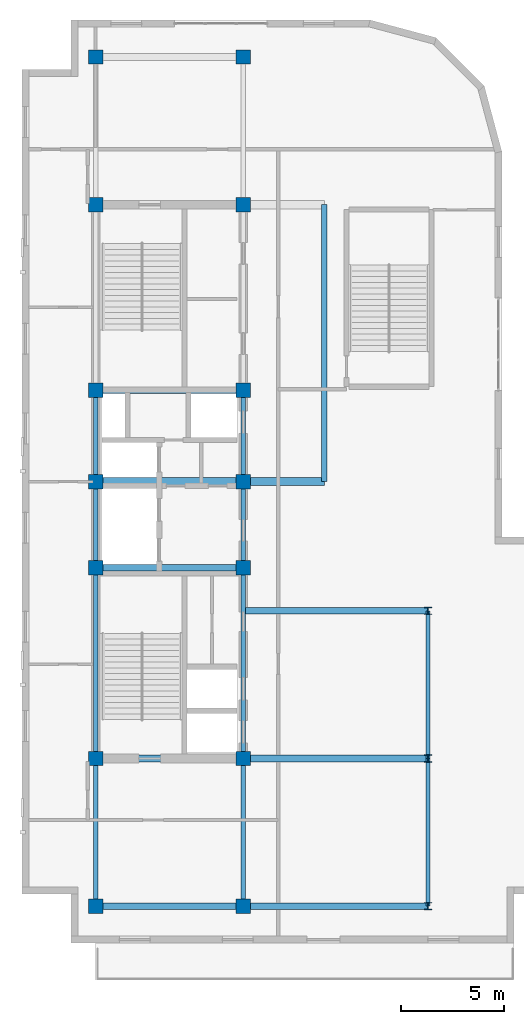
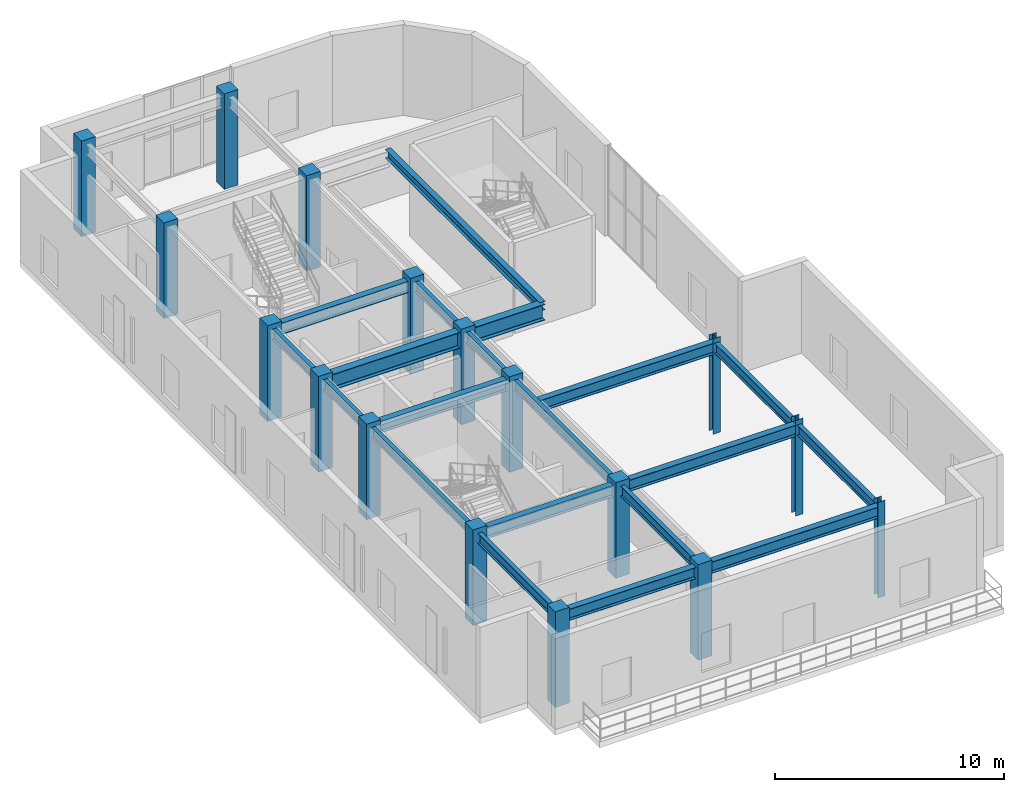
# One storey, part 1 of 10: 19 beams, 17 columns.
"""IFC4 building model written with IfcOpenShell, lengths in metres."""

import ifcopenshell
import ifcopenshell.guid

model = None  # the IFC model being written
_history = None  # IfcOwnerHistory: only IFC2X3 demands one
_inside = {}  # id of a spatial element -> (the spatial element, [elements in it])
_under = {}  # id of a project, library or spatial element -> (it, [spatial elements below it])
_declared = {}  # id of a project -> (the project, [libraries it declares])
_typed = {}  # id of a type object -> (the type object, [elements of that type])
_made_of = {}  # id of a material, layer set ... -> (it, [elements and type objects made of it])


def new_model(schema):
    """Start an empty IFC model of exactly this schema.

    Asked for "IFC4X3", IfcOpenShell would pick the latest addendum, in which some entities
    have other attributes; the version numbers below select the first issue.
    IFC2X3 requires an IfcOwnerHistory on every rooted entity: one is made here for all.
    """
    global model, _history
    if schema == "IFC4X3":
        model = ifcopenshell.file(schema_version=(4, 3, 0, 0))
    else:
        model = ifcopenshell.file(schema=schema)
    _inside.clear()
    _under.clear()
    _declared.clear()
    _typed.clear()
    _made_of.clear()
    _history = None
    if model.schema == "IFC2X3":
        org = make("IfcOrganization", Name="unknown")
        user = make(
            "IfcPersonAndOrganization",
            ThePerson=make("IfcPerson", FamilyName="unknown"),
            TheOrganization=org,
        )
        app = make(
            "IfcApplication",
            ApplicationDeveloper=org,
            Version="unknown",
            ApplicationFullName="unknown",
            ApplicationIdentifier="unknown",
        )
        _history = make(
            "IfcOwnerHistory",
            OwningUser=user,
            OwningApplication=app,
            ChangeAction="ADDED",
            CreationDate=0,
        )
    return model


def make(cls, **values):
    """One entity of the class cls with the attributes given. An attribute that is None is left unset."""
    return model.create_entity(
        cls, **{name: value for name, value in values.items() if value is not None}
    )


def entity(cls, *values):
    """Any entity or typed value of the class cls, its attributes in the order of the schema. None: left unset."""
    e = model.create_entity(cls)
    for i, value in enumerate(values):
        if value is not None:
            e[i] = value
    return e


def rooted(cls, **values):
    """An entity with a GlobalId (a new one), such as an element, a storey or a relation."""
    return make(cls, GlobalId=ifcopenshell.guid.new(), OwnerHistory=_history, **values)


def si_unit(unit_type, name, prefix=None):
    """IfcSIUnit, for example si_unit("LENGTHUNIT", "METRE", prefix="MILLI")."""
    return make("IfcSIUnit", UnitType=unit_type, Prefix=prefix, Name=name)


def converted_unit(unit_type, name, factor, base, dimensions=None, offset=None):
    """IfcConversionBasedUnit, such as the inch: factor (a typed value) times the base unit."""
    return make(
        "IfcConversionBasedUnit"
        if offset is None
        else "IfcConversionBasedUnitWithOffset",
        ConversionOffset=offset,
        Dimensions=None
        if dimensions is None
        else entity("IfcDimensionalExponents", *dimensions),
        UnitType=unit_type,
        Name=name,
        ConversionFactor=make(
            "IfcMeasureWithUnit", ValueComponent=factor, UnitComponent=base
        ),
    )


def assignment(units):
    """IfcUnitAssignment: the units of a project."""
    return None if units is None else make("IfcUnitAssignment", Units=units)


def point(xyz):
    """IfcCartesianPoint."""
    return None if xyz is None else make("IfcCartesianPoint", Coordinates=xyz)


def direction(xyz):
    """IfcDirection."""
    return None if xyz is None else make("IfcDirection", DirectionRatios=xyz)


def frame(location, z_axis=None, x_axis=None):
    """IfcAxis2Placement3D, a coordinate frame: its origin and axes. An axis left out is left unset."""
    return make(
        "IfcAxis2Placement3D",
        Location=point(location),
        Axis=direction(z_axis),
        RefDirection=direction(x_axis),
    )


def frame_2d(location, x_axis=None):
    """IfcAxis2Placement2D, a coordinate frame in the plane: its origin and x axis."""
    return make(
        "IfcAxis2Placement2D", Location=point(location), RefDirection=direction(x_axis)
    )


def origin_with_axes():
    """The frame at (0, 0, 0) with the z axis (0, 0, 1) and the x axis (1, 0, 0) written out."""
    return frame((0.0, 0.0, 0.0), z_axis=(0.0, 0.0, 1.0), x_axis=(1.0, 0.0, 0.0))


def origin_2d_with_axis():
    """The frame at (0, 0) in the plane with the x axis (1, 0) written out."""
    return frame_2d((0.0, 0.0), x_axis=(1.0, 0.0))


def place(relative_to, where):
    """IfcLocalPlacement: puts the frame where relative to a parent placement (None: the world)."""
    return make(
        "IfcLocalPlacement", PlacementRelTo=relative_to, RelativePlacement=where
    )


def context(
    kind, dimensions, precision=None, world=None, true_north=None, identifier=None
):
    """IfcGeometricRepresentationContext, for example the 3D "Model" context."""
    return make(
        "IfcGeometricRepresentationContext",
        ContextIdentifier=identifier,
        ContextType=kind,
        CoordinateSpaceDimension=dimensions,
        Precision=precision,
        WorldCoordinateSystem=world,
        TrueNorth=true_north,
    )


def subcontext(parent, identifier, kind, view, scale=None):
    """IfcGeometricRepresentationSubContext, for example "Body" below "Model"."""
    return make(
        "IfcGeometricRepresentationSubContext",
        ContextIdentifier=identifier,
        ContextType=kind,
        ParentContext=parent,
        TargetScale=scale,
        TargetView=view,
    )


def project(units=None, contexts=None):
    """IfcProject with its units and contexts."""
    return rooted(
        "IfcProject",
        Name="project",
        RepresentationContexts=contexts,
        UnitsInContext=assignment(units),
    )


def spatial(cls, under=None, at=None, **own):
    """A site, building, storey or space (cls), placed at a placement, below another one or the project."""
    s = rooted(cls, ObjectPlacement=at, **own)
    if under is not None:
        _under.setdefault(under.id(), (under, []))[1].append(s)
    return s


def profile(cls, at=None, kind="AREA", **sizes):
    """A parametric profile (cls). Its sizes go by their IFC names, for example OverallWidth=200.0."""
    return make(cls, ProfileType=kind, Position=at, **sizes)


def rectangle(**sizes):
    """IfcRectangleProfileDef."""
    return profile("IfcRectangleProfileDef", **sizes)


def i_section(**sizes):
    """IfcIShapeProfileDef."""
    return profile("IfcIShapeProfileDef", **sizes)


def extrude(swept, where, along, depth):
    """IfcExtrudedAreaSolid: the profile swept, set in the frame where, extruded along a direction by depth."""
    return make(
        "IfcExtrudedAreaSolid",
        SweptArea=swept,
        Position=where,
        ExtrudedDirection=direction(along),
        Depth=depth,
    )


def shape(context_of_items, identifier, shape_type, items):
    """IfcShapeRepresentation: the items that make up one representation, for example the "Body"."""
    return make(
        "IfcShapeRepresentation",
        ContextOfItems=context_of_items,
        RepresentationIdentifier=identifier,
        RepresentationType=shape_type,
        Items=items,
    )


def material(Name=None, Category=None):
    """IfcMaterial."""
    return make("IfcMaterial", Name=Name, Category=Category)


def material_profile(
    of_material, cross_section, Name=None, Category=None, Priority=None
):
    """IfcMaterialProfile: a cross section and its material."""
    return make(
        "IfcMaterialProfile",
        Name=Name,
        Material=of_material,
        Profile=cross_section,
        Priority=Priority,
        Category=Category,
    )


def profile_set(profiles, Name=None, composite=None):
    """IfcMaterialProfileSet."""
    return make(
        "IfcMaterialProfileSet",
        Name=Name,
        MaterialProfiles=profiles,
        CompositeProfile=composite,
    )


def made_of(thing, what):
    """Note that an element or type object is made of a material, layer set ...; save() writes the relation."""
    if what is not None:
        _made_of.setdefault(what.id(), (what, []))[1].append(thing)
    return thing


def type_object(cls, material=None, **own):
    """A type object (cls), such as IfcWallType, which elements share."""
    return made_of(rooted(cls, **own), material)


def element(
    cls,
    number,
    at=None,
    inside=None,
    cuts=None,
    type_object=None,
    material=None,
    context=None,
    identifier="Body",
    shape_type=None,
    held_by="IfcProductDefinitionShape",
    body=None,
    shapes=None,
    **own,
):
    """One element of the class cls, such as IfcWall. Its Tag is "e" and its number.

    at: its placement. inside: the storey or other place that contains it. cuts: it is an
    opening in that element (IfcRelVoidsElement). A single representation is given by context,
    identifier, shape_type and body (its items); several are given by shapes. held_by: the class
    of the entity that holds the representations. save() writes the other relations.
    """
    e = rooted(cls, Tag="e%d" % number, ObjectPlacement=at, **own)
    if body is not None:
        shapes = [shape(context, identifier, shape_type, body)]
    if shapes is not None:
        e.Representation = make(held_by, Representations=shapes)
    if inside is not None:
        _inside.setdefault(inside.id(), (inside, []))[1].append(e)
    if cuts is not None:
        rooted(
            "IfcRelVoidsElement", RelatingBuildingElement=cuts, RelatedOpeningElement=e
        )
    if type_object is not None:
        _typed.setdefault(type_object.id(), (type_object, []))[1].append(e)
    return made_of(e, material)


def aggregate(whole, parts):
    """IfcRelAggregates: a whole, such as a stair, and the parts it consists of."""
    return rooted("IfcRelAggregates", RelatingObject=whole, RelatedObjects=parts)


def save(model, path):
    """Write the relations noted so far, then the file.

    IfcRelAggregates (storeys below a building ...), IfcRelContainedInSpatialStructure (elements
    in a storey), IfcRelDefinesByType, IfcRelAssociatesMaterial and IfcRelDeclares: one each for
    every whole, place, type object, material and project.
    """
    for whole, parts in _under.values():
        aggregate(whole, parts)
    for where, things in _inside.values():
        rooted(
            "IfcRelContainedInSpatialStructure",
            RelatedElements=things,
            RelatingStructure=where,
        )
    for kind, things in _typed.values():
        rooted("IfcRelDefinesByType", RelatedObjects=things, RelatingType=kind)
    for what, things in _made_of.values():
        rooted("IfcRelAssociatesMaterial", RelatedObjects=things, RelatingMaterial=what)
    for by, libraries in _declared.values():
        rooted("IfcRelDeclares", RelatingContext=by, RelatedDefinitions=libraries)
    model.write(path)


model = new_model("IFC4")

# Units and contexts
model_context = context("Model", 3, precision=1e-05, world=origin_with_axes(), true_north=direction((0.0, 1.0)))
body_context = subcontext(model_context, "Body", "Model", "MODEL_VIEW")
ifc_project = project(units=[si_unit("LENGTHUNIT", "METRE"), si_unit("AREAUNIT", "SQUARE_METRE"), si_unit("VOLUMEUNIT", "CUBIC_METRE"), converted_unit("PLANEANGLEUNIT", "DEGREE", entity("IfcPlaneAngleMeasure", 0.017453292519943295), si_unit("PLANEANGLEUNIT", "RADIAN"), dimensions=[0, 0, 0, 0, 0, 0, 0]), si_unit("MASSUNIT", "GRAM", prefix="KILO"), si_unit("THERMODYNAMICTEMPERATUREUNIT", "KELVIN")], contexts=[model_context])

# Site, building, storey
site_placement = place(None, origin_with_axes())
site = spatial("IfcSite", under=ifc_project, at=site_placement, CompositionType="ELEMENT")
building_placement = place(site_placement, origin_with_axes())
building = spatial("IfcBuilding", under=site, at=building_placement, Name="Varnlund Millrace Tower", CompositionType="ELEMENT")
storey_placement = place(building_placement, frame((0.0, 0.0, 303.6), z_axis=(0.0, 0.0, 1.0), x_axis=(1.0, 0.0, 0.0)))
storey = spatial("IfcBuildingStorey", under=building, at=storey_placement, Name="L75", CompositionType="ELEMENT", Elevation=303.6)

# Columns
ifc_material_1 = material(Name="Steel ASTM A992 Grade 50", Category="steel")
ifc_material_profile_1 = material_profile(ifc_material_1, i_section(OverallWidth=0.369, OverallDepth=0.356, WebThickness=0.0112, FlangeThickness=0.018, FilletRadius=0.018, at=origin_2d_with_axis()), Name="Steel ASTM A992 Grade 50")
ifc_profile_set_1 = profile_set([ifc_material_profile_1], Name="Steel ASTM A992 Grade 50")
column_type_1 = type_object("IfcColumnType", Name="Type-Col-Int-W14X90", PredefinedType="COLUMN", material=ifc_profile_set_1)
for number, where, z_axis, x_axis, name in (
    (1, (27.6, 3.6, 0.0), (0.0, 0.0, 1.0), (1.0, 0.0, 0.0), "Type-Col-Int-W14X90"),
    (2, (27.6, 10.8, 0.0), (0.0, 0.0, 1.0), (1.0, 0.0, 0.0), "Type-Col-Int-W14X90"),
    (3, (27.6, 18.0, 0.0), (0.0, 0.0, 1.0), (1.0, 0.0, 0.0), "Type-Col-Int-W14X90"),
):
    element("IfcColumn", number, at=place(storey_placement, frame(where, z_axis=z_axis, x_axis=x_axis)), inside=storey, type_object=column_type_1, Name=name, PredefinedType="COLUMN", context=body_context, shape_type="SweptSolid", body=[
        extrude(i_section(OverallWidth=0.369, OverallDepth=0.356, WebThickness=0.0112, FlangeThickness=0.018, FilletRadius=0.018, at=origin_2d_with_axis()), origin_with_axes(), (0.0, 0.0, 1.0), 5.1),
    ])
ifc_material_2 = material(Name="Concrete C60/75", Category="concrete")
ifc_material_profile_2 = material_profile(ifc_material_2, rectangle(XDim=0.7, YDim=0.7, at=origin_2d_with_axis()), Name="Concrete C60/75")
ifc_profile_set_2 = profile_set([ifc_material_profile_2], Name="Concrete C60/75")
column_type_2 = type_object("IfcColumnType", Name="Type-Col-RC700-C60", PredefinedType="COLUMN", material=ifc_profile_set_2)
for number, where, z_axis, x_axis, name in (
    (4, (11.4, 3.6, 0.0), (0.0, 0.0, 1.0), (1.0, 0.0, 0.0), "Type-Col-RC700-C60"),
    (5, (11.4, 10.8, 0.0), (0.0, 0.0, 1.0), (1.0, 0.0, 0.0), "Type-Col-RC700-C60"),
    (6, (11.4, 20.1, 0.0), (0.0, 0.0, 1.0), (1.0, 0.0, 0.0), "Type-Col-RC700-C60"),
    (7, (11.4, 24.3, 0.0), (0.0, 0.0, 1.0), (1.0, 0.0, 0.0), "Type-Col-RC700-C60"),
    (8, (11.4, 28.75, 0.0), (0.0, 0.0, 1.0), (1.0, 0.0, 0.0), "Type-Col-RC700-C60"),
    (9, (11.4, 37.8, 0.0), (0.0, 0.0, 1.0), (1.0, 0.0, 0.0), "Type-Col-RC700-C60"),
    (10, (11.4, 45.0, 0.0), (0.0, 0.0, 1.0), (1.0, 0.0, 0.0), "Type-Col-RC700-C60"),
    (11, (18.6, 3.6, 0.0), (0.0, 0.0, 1.0), (1.0, 0.0, 0.0), "Type-Col-RC700-C60"),
    (12, (18.6, 10.8, 0.0), (0.0, 0.0, 1.0), (1.0, 0.0, 0.0), "Type-Col-RC700-C60"),
    (13, (18.6, 20.1, 0.0), (0.0, 0.0, 1.0), (1.0, 0.0, 0.0), "Type-Col-RC700-C60"),
    (14, (18.6, 24.3, 0.0), (0.0, 0.0, 1.0), (1.0, 0.0, 0.0), "Type-Col-RC700-C60"),
    (15, (18.6, 28.75, 0.0), (0.0, 0.0, 1.0), (1.0, 0.0, 0.0), "Type-Col-RC700-C60"),
    (16, (18.6, 37.8, 0.0), (0.0, 0.0, 1.0), (1.0, 0.0, 0.0), "Type-Col-RC700-C60"),
    (17, (18.6, 45.0, 0.0), (0.0, 0.0, 1.0), (1.0, 0.0, 0.0), "Type-Col-RC700-C60"),
):
    element("IfcColumn", number, at=place(storey_placement, frame(where, z_axis=z_axis, x_axis=x_axis)), inside=storey, type_object=column_type_2, Name=name, PredefinedType="COLUMN", context=body_context, shape_type="SweptSolid", body=[
        extrude(rectangle(XDim=0.7, YDim=0.7, at=origin_2d_with_axis()), origin_with_axes(), (0.0, 0.0, 1.0), 5.1),
    ])

# Beams
ifc_material_profile_3 = material_profile(ifc_material_1, i_section(OverallWidth=0.28, OverallDepth=0.463, WebThickness=0.0108, FlangeThickness=0.0173, FilletRadius=0.015, at=origin_2d_with_axis()), Name="Steel ASTM A992 Grade 50")
ifc_profile_set_3 = profile_set([ifc_material_profile_3], Name="Steel ASTM A992 Grade 50")
beam_type_1 = type_object("IfcBeamType", Name="Type-Beam-W18X76", PredefinedType="BEAM", material=ifc_profile_set_3)
beam_1_placement = place(storey_placement, frame((22.55, 24.3, 4.6085), z_axis=(0.0, 1.0, 0.0), x_axis=(-1.0, 0.0, 0.0)))
element("IfcBeam", 18, at=beam_1_placement, inside=storey, type_object=beam_type_1, Name="Type-Beam-W18X76", PredefinedType="BEAM", context=body_context, shape_type="SweptSolid", body=[
    extrude(i_section(OverallWidth=0.28, OverallDepth=0.463, WebThickness=0.0108, FlangeThickness=0.0173, FilletRadius=0.015, at=origin_2d_with_axis()), origin_with_axes(), (0.0, 0.0, 1.0), 13.5),
])
ifc_material_profile_4 = material_profile(ifc_material_1, i_section(OverallWidth=0.214, OverallDepth=0.549, WebThickness=0.0147, FlangeThickness=0.0236, FilletRadius=0.015, at=origin_2d_with_axis()), Name="Steel ASTM A992 Grade 50")
ifc_profile_set_4 = profile_set([ifc_material_profile_4], Name="Steel ASTM A992 Grade 50")
beam_type_2 = type_object("IfcBeamType", Name="Type-Beam-W21X93", PredefinedType="BEAM", material=ifc_profile_set_4)
beam_2_placement = place(storey_placement, frame((11.4, 3.6, 4.5655), z_axis=(0.0, 1.0, 0.0), x_axis=(-1.0, 0.0, 0.0)))
element("IfcBeam", 19, at=beam_2_placement, inside=storey, type_object=beam_type_2, Name="Type-Beam-W21X93", PredefinedType="BEAM", context=body_context, shape_type="SweptSolid", body=[
    extrude(i_section(OverallWidth=0.214, OverallDepth=0.549, WebThickness=0.0147, FlangeThickness=0.0236, FilletRadius=0.015, at=origin_2d_with_axis()), origin_with_axes(), (0.0, 0.0, 1.0), 7.2),
])
beam_3_placement = place(storey_placement, frame((11.4, 10.8, 4.5655), z_axis=(0.0, 1.0, 0.0), x_axis=(-1.0, 0.0, 0.0)))
element("IfcBeam", 20, at=beam_3_placement, inside=storey, type_object=beam_type_2, Name="Type-Beam-W21X93", PredefinedType="BEAM", context=body_context, shape_type="SweptSolid", body=[
    extrude(i_section(OverallWidth=0.214, OverallDepth=0.549, WebThickness=0.0147, FlangeThickness=0.0236, FilletRadius=0.015, at=origin_2d_with_axis()), origin_with_axes(), (0.0, 0.0, 1.0), 9.3),
])
beam_4_placement = place(storey_placement, frame((11.4, 20.1, 4.5655), z_axis=(0.0, 1.0, 0.0), x_axis=(-1.0, 0.0, 0.0)))
element("IfcBeam", 21, at=beam_4_placement, inside=storey, type_object=beam_type_2, Name="Type-Beam-W21X93", PredefinedType="BEAM", context=body_context, shape_type="SweptSolid", body=[
    extrude(i_section(OverallWidth=0.214, OverallDepth=0.549, WebThickness=0.0147, FlangeThickness=0.0236, FilletRadius=0.015, at=origin_2d_with_axis()), origin_with_axes(), (0.0, 0.0, 1.0), 4.2),
])
beam_5_placement = place(storey_placement, frame((11.4, 24.3, 4.5655), z_axis=(0.0, 1.0, 0.0), x_axis=(-1.0, 0.0, 0.0)))
element("IfcBeam", 22, at=beam_5_placement, inside=storey, type_object=beam_type_2, Name="Type-Beam-W21X93", PredefinedType="BEAM", context=body_context, shape_type="SweptSolid", body=[
    extrude(i_section(OverallWidth=0.214, OverallDepth=0.549, WebThickness=0.0147, FlangeThickness=0.0236, FilletRadius=0.015, at=origin_2d_with_axis()), origin_with_axes(), (0.0, 0.0, 1.0), 4.45),
])
beam_6_placement = place(storey_placement, frame((18.6, 3.6, 4.5655), z_axis=(0.0, 1.0, 0.0), x_axis=(-1.0, 0.0, 0.0)))
element("IfcBeam", 23, at=beam_6_placement, inside=storey, type_object=beam_type_2, Name="Type-Beam-W21X93", PredefinedType="BEAM", context=body_context, shape_type="SweptSolid", body=[
    extrude(i_section(OverallWidth=0.214, OverallDepth=0.549, WebThickness=0.0147, FlangeThickness=0.0236, FilletRadius=0.015, at=origin_2d_with_axis()), origin_with_axes(), (0.0, 0.0, 1.0), 7.2),
])
beam_7_placement = place(storey_placement, frame((18.6, 10.8, 4.5655), z_axis=(0.0, 1.0, 0.0), x_axis=(-1.0, 0.0, 0.0)))
element("IfcBeam", 24, at=beam_7_placement, inside=storey, type_object=beam_type_2, Name="Type-Beam-W21X93", PredefinedType="BEAM", context=body_context, shape_type="SweptSolid", body=[
    extrude(i_section(OverallWidth=0.214, OverallDepth=0.549, WebThickness=0.0147, FlangeThickness=0.0236, FilletRadius=0.015, at=origin_2d_with_axis()), origin_with_axes(), (0.0, 0.0, 1.0), 9.3),
])
beam_8_placement = place(storey_placement, frame((18.6, 20.1, 4.5655), z_axis=(0.0, 1.0, 0.0), x_axis=(-1.0, 0.0, 0.0)))
element("IfcBeam", 25, at=beam_8_placement, inside=storey, type_object=beam_type_2, Name="Type-Beam-W21X93", PredefinedType="BEAM", context=body_context, shape_type="SweptSolid", body=[
    extrude(i_section(OverallWidth=0.214, OverallDepth=0.549, WebThickness=0.0147, FlangeThickness=0.0236, FilletRadius=0.015, at=origin_2d_with_axis()), origin_with_axes(), (0.0, 0.0, 1.0), 4.2),
])
beam_9_placement = place(storey_placement, frame((18.6, 24.3, 4.5655), z_axis=(0.0, 1.0, 0.0), x_axis=(-1.0, 0.0, 0.0)))
element("IfcBeam", 26, at=beam_9_placement, inside=storey, type_object=beam_type_2, Name="Type-Beam-W21X93", PredefinedType="BEAM", context=body_context, shape_type="SweptSolid", body=[
    extrude(i_section(OverallWidth=0.214, OverallDepth=0.549, WebThickness=0.0147, FlangeThickness=0.0236, FilletRadius=0.015, at=origin_2d_with_axis()), origin_with_axes(), (0.0, 0.0, 1.0), 4.45),
])
for number, where, z_axis, x_axis, name in (
    (27, (27.6, 3.6, 4.5655), (0.0, 1.0, 0.0), (-1.0, 0.0, 0.0), "Type-Beam-W21X93"),
    (28, (27.6, 10.8, 4.5655), (0.0, 1.0, 0.0), (-1.0, 0.0, 0.0), "Type-Beam-W21X93"),
):
    element("IfcBeam", number, at=place(storey_placement, frame(where, z_axis=z_axis, x_axis=x_axis)), inside=storey, type_object=beam_type_2, Name=name, PredefinedType="BEAM", context=body_context, shape_type="SweptSolid", body=[
        extrude(i_section(OverallWidth=0.214, OverallDepth=0.549, WebThickness=0.0147, FlangeThickness=0.0236, FilletRadius=0.015, at=origin_2d_with_axis()), origin_with_axes(), (0.0, 0.0, 1.0), 7.2),
    ])
ifc_material_profile_5 = material_profile(ifc_material_1, i_section(OverallWidth=0.324, OverallDepth=0.611, WebThickness=0.0127, FlangeThickness=0.0191, FilletRadius=0.016, at=origin_2d_with_axis()), Name="Steel ASTM A992 Grade 50")
ifc_profile_set_5 = profile_set([ifc_material_profile_5], Name="Steel ASTM A992 Grade 50")
beam_type_3 = type_object("IfcBeamType", Name="Type-Girder-W24X104", PredefinedType="USERDEFINED", material=ifc_profile_set_5)
beam_10_placement = place(storey_placement, frame((11.4, 3.6, 4.5345), z_axis=(1.0, 0.0, 0.0), x_axis=(0.0, 1.0, 0.0)))
element("IfcBeam", 29, at=beam_10_placement, inside=storey, type_object=beam_type_3, Name="Type-Girder-W24X104", ObjectType="GIRDER", PredefinedType="USERDEFINED", context=body_context, shape_type="SweptSolid", body=[
    extrude(i_section(OverallWidth=0.324, OverallDepth=0.611, WebThickness=0.0127, FlangeThickness=0.0191, FilletRadius=0.016, at=origin_2d_with_axis()), origin_with_axes(), (0.0, 0.0, 1.0), 7.2),
])
beam_11_placement = place(storey_placement, frame((18.6, 3.6, 4.5345), z_axis=(1.0, 0.0, 0.0), x_axis=(0.0, 1.0, 0.0)))
element("IfcBeam", 30, at=beam_11_placement, inside=storey, type_object=beam_type_3, Name="Type-Girder-W24X104", ObjectType="GIRDER", PredefinedType="USERDEFINED", context=body_context, shape_type="SweptSolid", body=[
    extrude(i_section(OverallWidth=0.324, OverallDepth=0.611, WebThickness=0.0127, FlangeThickness=0.0191, FilletRadius=0.016, at=origin_2d_with_axis()), origin_with_axes(), (0.0, 0.0, 1.0), 9.0),
])
beam_12_placement = place(storey_placement, frame((11.4, 10.8, 4.5345), z_axis=(1.0, 0.0, 0.0), x_axis=(0.0, 1.0, 0.0)))
element("IfcBeam", 31, at=beam_12_placement, inside=storey, type_object=beam_type_3, Name="Type-Girder-W24X104", ObjectType="GIRDER", PredefinedType="USERDEFINED", context=body_context, shape_type="SweptSolid", body=[
    extrude(i_section(OverallWidth=0.324, OverallDepth=0.611, WebThickness=0.0127, FlangeThickness=0.0191, FilletRadius=0.016, at=origin_2d_with_axis()), origin_with_axes(), (0.0, 0.0, 1.0), 7.2),
])
for number, where, z_axis, x_axis, name in (
    (32, (18.6, 10.8, 4.5345), (1.0, 0.0, 0.0), (0.0, 1.0, 0.0), "Type-Girder-W24X104"),
    (33, (18.6, 18.0, 4.5345), (1.0, 0.0, 0.0), (0.0, 1.0, 0.0), "Type-Girder-W24X104"),
):
    element("IfcBeam", number, at=place(storey_placement, frame(where, z_axis=z_axis, x_axis=x_axis)), inside=storey, type_object=beam_type_3, Name=name, ObjectType="GIRDER", PredefinedType="USERDEFINED", context=body_context, shape_type="SweptSolid", body=[
        extrude(i_section(OverallWidth=0.324, OverallDepth=0.611, WebThickness=0.0127, FlangeThickness=0.0191, FilletRadius=0.016, at=origin_2d_with_axis()), origin_with_axes(), (0.0, 0.0, 1.0), 9.0),
    ])
for number, where, z_axis, x_axis, name in (
    (34, (11.4, 20.1, 4.5345), (1.0, 0.0, 0.0), (0.0, 1.0, 0.0), "Type-Girder-W24X104"),
    (35, (11.4, 28.75, 4.5345), (1.0, 0.0, 0.0), (0.0, 1.0, 0.0), "Type-Girder-W24X104"),
):
    element("IfcBeam", number, at=place(storey_placement, frame(where, z_axis=z_axis, x_axis=x_axis)), inside=storey, type_object=beam_type_3, Name=name, ObjectType="GIRDER", PredefinedType="USERDEFINED", context=body_context, shape_type="SweptSolid", body=[
        extrude(i_section(OverallWidth=0.324, OverallDepth=0.611, WebThickness=0.0127, FlangeThickness=0.0191, FilletRadius=0.016, at=origin_2d_with_axis()), origin_with_axes(), (0.0, 0.0, 1.0), 7.2),
    ])
ifc_material_profile_6 = material_profile(ifc_material_1, i_section(OverallWidth=0.399, OverallDepth=0.855, WebThickness=0.0182, FlangeThickness=0.0292, FilletRadius=0.022, at=origin_2d_with_axis()), Name="Steel ASTM A992 Grade 50")
ifc_profile_set_6 = profile_set([ifc_material_profile_6], Name="Steel ASTM A992 Grade 50")
beam_type_4 = type_object("IfcBeamType", Name="Type-Girder-W33X201", PredefinedType="USERDEFINED", material=ifc_profile_set_6)
beam_13_placement = place(storey_placement, frame((11.4, 24.3, 4.4125), z_axis=(1.0, 0.0, 0.0), x_axis=(0.0, 1.0, 0.0)))
element("IfcBeam", 36, at=beam_13_placement, inside=storey, type_object=beam_type_4, Name="Type-Girder-W33X201", ObjectType="GIRDER", PredefinedType="USERDEFINED", context=body_context, shape_type="SweptSolid", body=[
    extrude(i_section(OverallWidth=0.399, OverallDepth=0.855, WebThickness=0.0182, FlangeThickness=0.0292, FilletRadius=0.022, at=origin_2d_with_axis()), origin_with_axes(), (0.0, 0.0, 1.0), 11.15),
])

save(model, "model.ifc")
